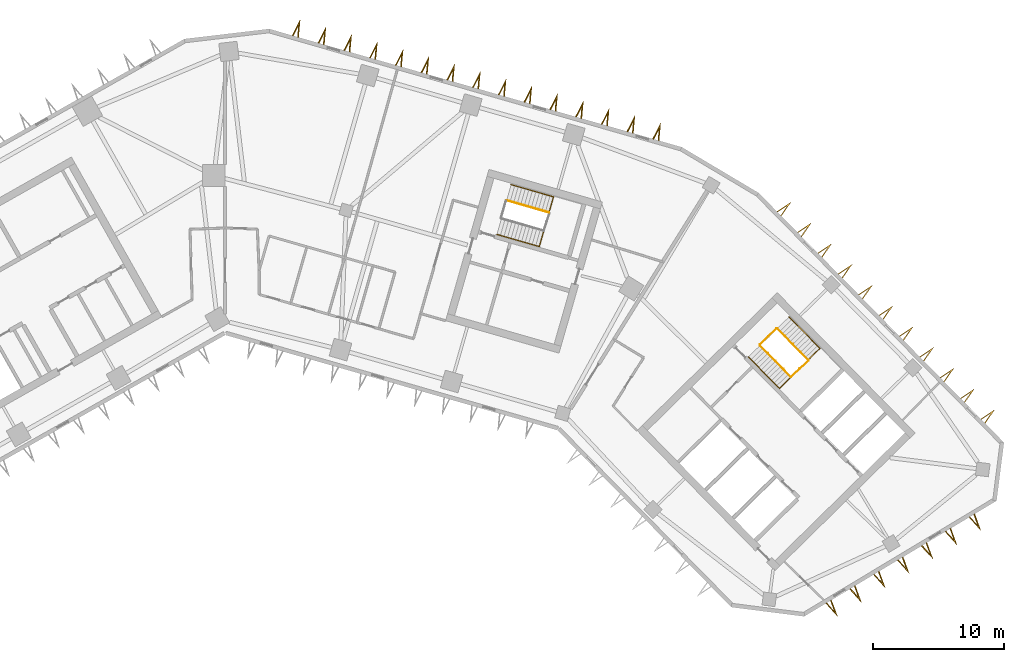
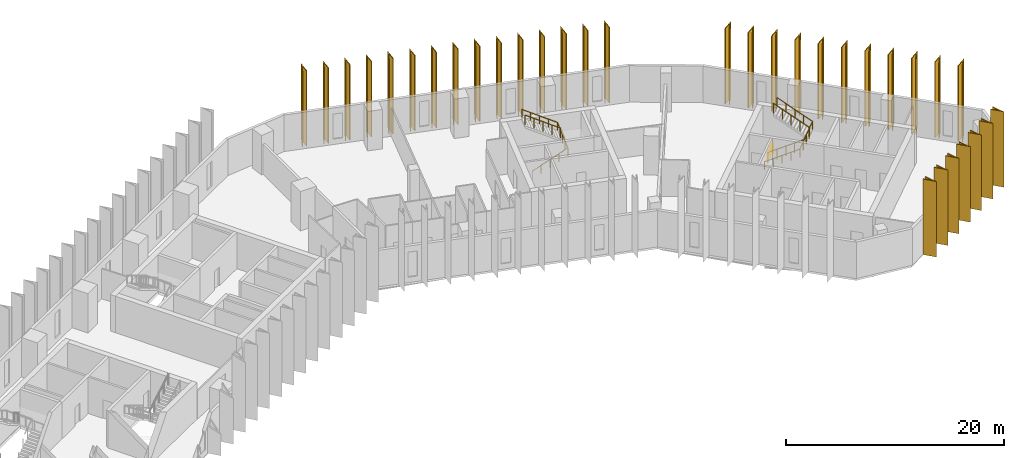
# One storey, part 11 of 11: 33 shading devices, 6 railings.
"""IFC4 building model written with IfcOpenShell, lengths in metres."""

from ifc_helpers import new_model, si_unit, direction, frame, origin, origin_2d, place, context, subcontext, project, spatial, polyline, circle, outline, extrude, material, type_object, element, save


model = new_model("IFC4")

# Units and contexts
model_context = context("Model", 3, precision=1e-05, world=origin(), true_north=direction((0.0, 1.0)))
body_context = subcontext(model_context, "Body", "Model", "MODEL_VIEW")
ifc_project = project(units=[si_unit("LENGTHUNIT", "METRE"), si_unit("AREAUNIT", "SQUARE_METRE"), si_unit("VOLUMEUNIT", "CUBIC_METRE"), si_unit("PLANEANGLEUNIT", "RADIAN"), si_unit("MASSUNIT", "GRAM", prefix="KILO")], contexts=[model_context])

# Site, building, storey
site_placement = place(None, origin())
site = spatial("IfcSite", under=ifc_project, at=site_placement, CompositionType="ELEMENT")
building_placement = place(site_placement, origin())
building = spatial("IfcBuilding", under=site, at=building_placement, Name="Binnacle Exchange Tower", CompositionType="ELEMENT")
storey_placement = place(building_placement, frame((0.0, 0.0, 141.10009765625)))
storey = spatial("IfcBuildingStorey", under=building, at=storey_placement, Name="L29", CompositionType="ELEMENT", Elevation=141.10009765625)

# Railings
ifc_material_1 = material(Name="Steel guard rail", Category="steel")
railing_type_1 = type_object("IfcRailingType", Name="STAIR GUARD 1100", PredefinedType="GUARDRAIL", material=ifc_material_1)
railing_1_placement = place(storey_placement, frame((40.822509765625, 47.046875, 0.169189453125)))
element("IfcRailing", 1, at=railing_1_placement, inside=storey, type_object=railing_type_1, Name="L29 STB1 stair guard 1", PredefinedType="GUARDRAIL", context=body_context, shape_type="SweptSolid", body=[
    extrude(circle(Radius=0.02392578125, at=origin_2d()), frame((0.0, 0.0, 1.076171875), z_axis=(0.599850224077, -0.610421915772, 0.51726665601), x_axis=(0.713256128111, 0.700903485305, 0.0)), (0.0, 0.0, 1.0), 3.926025390625),
    extrude(circle(Radius=0.02392578125, at=origin_2d()), frame((2.35498046875, -2.396484375, 3.10693359375), z_axis=(0.732527851538, 0.680737061369, 0.0), x_axis=(-0.680737061369, 0.732527851538, 0.0)), (0.0, 0.0, 1.0), 1.80078125),
    extrude(circle(Radius=0.02099609375, at=origin_2d()), origin(), (0.0, 0.0, 1.0), 1.052001953125),
    extrude(circle(Radius=0.02099609375, at=origin_2d()), frame((0.5888671875, -0.59912109375, 0.5078125)), (0.0, 0.0, 1.0), 1.052001953125),
    extrude(circle(Radius=0.02099609375, at=origin_2d()), frame((1.177490234375, -1.1982421875, 1.015380859375)), (0.0, 0.0, 1.0), 1.052001953125),
    extrude(circle(Radius=0.02099609375, at=origin_2d()), frame((1.76611328125, -1.79736328125, 1.52294921875)), (0.0, 0.0, 1.0), 1.052001953125),
    extrude(circle(Radius=0.02099609375, at=origin_2d()), frame((2.35498046875, -2.396484375, 2.03076171875)), (0.0, 0.0, 1.0), 1.052001953125),
    extrude(circle(Radius=0.02099609375, at=origin_2d()), frame((3.0146484375, -1.78369140625, 2.03076171875)), (0.0, 0.0, 1.0), 1.052001953125),
    extrude(circle(Radius=0.02099609375, at=origin_2d()), frame((3.674072265625, -1.170654296875, 2.03076171875)), (0.0, 0.0, 1.0), 1.052001953125),
])
railing_2_placement = place(storey_placement, frame((44.4970703125, 45.947021484375, 2.369140625)))
element("IfcRailing", 2, at=railing_2_placement, inside=storey, type_object=railing_type_1, Name="L29 STB1 stair guard 2", PredefinedType="GUARDRAIL", context=body_context, shape_type="SweptSolid", body=[
    extrude(circle(Radius=0.02392578125, at=origin_2d()), frame((0.0, 0.0, 1.076171875), z_axis=(-0.599850224077, 0.610421915772, 0.51726665601), x_axis=(-0.713256128111, -0.700903485305, 0.0)), (0.0, 0.0, 1.0), 3.926025390625),
    extrude(circle(Radius=0.02099609375, at=origin_2d()), origin(), (0.0, 0.0, 1.0), 1.052001953125),
    extrude(circle(Radius=0.02099609375, at=origin_2d()), frame((-0.5888671875, 0.59912109375, 0.5078125)), (0.0, 0.0, 1.0), 1.052001953125),
    extrude(circle(Radius=0.02099609375, at=origin_2d()), frame((-1.177490234375, 1.1982421875, 1.015380859375)), (0.0, 0.0, 1.0), 1.052001953125),
    extrude(circle(Radius=0.02099609375, at=origin_2d()), frame((-1.76611328125, 1.79736328125, 1.52294921875)), (0.0, 0.0, 1.0), 1.052001953125),
    extrude(circle(Radius=0.02099609375, at=origin_2d()), frame((-2.35498046875, 2.396484375, 2.03076171875)), (0.0, 0.0, 1.0), 1.052001953125),
])
railing_3_placement = place(storey_placement, frame((40.8232421875, 47.117431640625, 0.0)))
element("IfcRailing", 3, at=railing_3_placement, inside=storey, type_object=railing_type_1, Name="L29 STB1 stair guard 3", PredefinedType="GUARDRAIL", context=body_context, shape_type="SweptSolid", body=[
    extrude(circle(Radius=0.02392578125, at=origin_2d()), frame((0.0, 0.0, 1.076171875), z_axis=(0.713218950569, 0.700941316052, 0.0), x_axis=(-0.700941316052, 0.713218950569, 0.0)), (0.0, 0.0, 1.0), 1.75),
    extrude(circle(Radius=0.02099609375, at=origin_2d()), origin(), (0.0, 0.0, 1.0), 1.052001953125),
    extrude(circle(Radius=0.02099609375, at=origin_2d()), frame((0.6240234375, 0.61328125, 0.0)), (0.0, 0.0, 1.0), 1.052001953125),
    extrude(circle(Radius=0.02099609375, at=origin_2d()), frame((1.248046875, 1.2265625, 0.0)), (0.0, 0.0, 1.0), 1.052001953125),
])
railing_4_placement = place(storey_placement, frame((24.716064453125, 57.177978515625, 2.369140625)))
element("IfcRailing", 4, at=railing_4_placement, inside=storey, type_object=railing_type_1, Name="L29 STD1 stair guard 2", PredefinedType="GUARDRAIL", context=body_context, shape_type="SweptSolid", body=[
    extrude(circle(Radius=0.02392578125, at=origin_2d()), frame((0.0, 0.0, 1.076171875), z_axis=(-0.82266146106, 0.235934506256, 0.517264950721), x_axis=(-0.27568068152, -0.961249271436, 0.0)), (0.0, 0.0, 1.0), 3.926025390625),
    extrude(circle(Radius=0.02099609375, at=origin_2d()), origin(), (0.0, 0.0, 1.0), 1.052001953125),
    extrude(circle(Radius=0.02099609375, at=origin_2d()), frame((-0.807373046875, 0.2314453125, 0.5078125)), (0.0, 0.0, 1.0), 1.052001953125),
    extrude(circle(Radius=0.02099609375, at=origin_2d()), frame((-1.61474609375, 0.463134765625, 1.015380859375)), (0.0, 0.0, 1.0), 1.052001953125),
    extrude(circle(Radius=0.02099609375, at=origin_2d()), frame((-2.42236328125, 0.69482421875, 1.52294921875)), (0.0, 0.0, 1.0), 1.052001953125),
    extrude(circle(Radius=0.02099609375, at=origin_2d()), frame((-3.229736328125, 0.92626953125, 2.03076171875)), (0.0, 0.0, 1.0), 1.052001953125),
])
ifc_material_2 = material(Name="Steel handrail", Category="steel")
railing_type_2 = type_object("IfcRailingType", Name="STAIR HANDRAIL 900", PredefinedType="HANDRAIL", material=ifc_material_2)
railing_5_placement = place(storey_placement, frame((39.930908203125, 46.170654296875, 0.169189453125)))
element("IfcRailing", 5, at=railing_5_placement, inside=storey, type_object=railing_type_2, Name="L29 STB1 stair handrail 1", PredefinedType="HANDRAIL", context=body_context, shape_type="SweptSolid", body=[
    extrude(circle(Radius=0.02392578125, at=origin_2d()), frame((0.0, 0.0, 0.8759765625), z_axis=(0.599890032335, -0.610399145579, 0.51724736073), x_axis=(0.713219803244, 0.700940448441, 0.0)), (0.0, 0.0, 1.0), 3.926025390625),
    extrude(circle(Radius=0.02392578125, at=origin_2d()), frame((2.355224609375, -2.396484375, 2.90673828125), z_axis=(0.712714810107, 0.700376341566, 0.038866175905), x_axis=(-0.700905928746, 0.713253726978, 0.0)), (0.0, 0.0, 1.0), 4.35302734375),
    extrude(circle(Radius=0.02392578125, at=origin_2d()), frame((5.457763671875, 0.65234375, 3.07568359375), z_axis=(-0.599827453926, 0.610460928384, 0.517247020709), x_axis=(-0.713291821981, -0.70086716052, 0.0)), (0.0, 0.0, 1.0), 3.926025390625),
    extrude(circle(Radius=0.02099609375, at=origin_2d()), origin(), (0.0, 0.0, 1.0), 0.851806640625),
    extrude(circle(Radius=0.02099609375, at=origin_2d()), frame((0.5888671875, -0.59912109375, 0.5078125)), (0.0, 0.0, 1.0), 0.851806640625),
    extrude(circle(Radius=0.02099609375, at=origin_2d()), frame((1.177734375, -1.1982421875, 1.015380859375)), (0.0, 0.0, 1.0), 0.851806640625),
    extrude(circle(Radius=0.02099609375, at=origin_2d()), frame((1.766357421875, -1.79736328125, 1.52294921875)), (0.0, 0.0, 1.0), 0.851806640625),
    extrude(circle(Radius=0.02099609375, at=origin_2d()), frame((2.355224609375, -2.396484375, 2.03076171875)), (0.0, 0.0, 1.0), 0.851806640625),
    extrude(circle(Radius=0.02099609375, at=origin_2d()), frame((3.130859375, -1.63427734375, 2.072998046875)), (0.0, 0.0, 1.0), 0.851806640625),
    extrude(circle(Radius=0.02099609375, at=origin_2d()), frame((3.906494140625, -0.8720703125, 2.115234375)), (0.0, 0.0, 1.0), 0.851806640625),
    extrude(circle(Radius=0.02099609375, at=origin_2d()), frame((4.68212890625, -0.10986328125, 2.15771484375)), (0.0, 0.0, 1.0), 0.851806640625),
    extrude(circle(Radius=0.02099609375, at=origin_2d()), frame((5.457763671875, 0.65234375, 2.199951171875)), (0.0, 0.0, 1.0), 0.851806640625),
    extrude(circle(Radius=0.02099609375, at=origin_2d()), frame((4.869140625, 1.25146484375, 2.70751953125)), (0.0, 0.0, 1.0), 0.851806640625),
    extrude(circle(Radius=0.02099609375, at=origin_2d()), frame((4.2802734375, 1.8505859375, 3.21533203125)), (0.0, 0.0, 1.0), 0.851806640625),
    extrude(circle(Radius=0.02099609375, at=origin_2d()), frame((3.69140625, 2.449951171875, 3.72314453125)), (0.0, 0.0, 1.0), 0.851806640625),
    extrude(circle(Radius=0.02099609375, at=origin_2d()), frame((3.102783203125, 3.049072265625, 4.230712890625)), (0.0, 0.0, 1.0), 0.851806640625),
])
railing_6_placement = place(storey_placement, frame((20.7421875, 55.5087890625, 0.169189453125)))
element("IfcRailing", 6, at=railing_6_placement, inside=storey, type_object=railing_type_2, Name="L29 STD1 stair handrail 1", PredefinedType="HANDRAIL", context=body_context, shape_type="SweptSolid", body=[
    extrude(circle(Radius=0.02392578125, at=origin_2d()), frame((0.0, 0.0, 0.8759765625), z_axis=(0.82266146106, -0.235934506256, 0.517264950721), x_axis=(0.27568068152, 0.961249271436, 0.0)), (0.0, 0.0, 1.0), 3.926025390625),
    extrude(circle(Radius=0.02392578125, at=origin_2d()), frame((3.229736328125, -0.92626953125, 2.90673828125), z_axis=(0.275399082883, 0.960377115711, 0.042791830591), x_axis=(-0.961257617982, 0.275651576943, 0.0)), (0.0, 0.0, 1.0), 3.953857421875),
    extrude(circle(Radius=0.02392578125, at=origin_2d()), frame((4.318603515625, 2.870849609375, 3.07568359375), z_axis=(-0.822693627572, 0.235863713483, 0.517246076655), x_axis=(-0.275594289407, -0.961274043989, 0.0)), (0.0, 0.0, 1.0), 3.926025390625),
    extrude(circle(Radius=0.02099609375, at=origin_2d()), origin(), (0.0, 0.0, 1.0), 0.851806640625),
    extrude(circle(Radius=0.02099609375, at=origin_2d()), frame((0.807373046875, -0.2314453125, 0.5078125)), (0.0, 0.0, 1.0), 0.851806640625),
    extrude(circle(Radius=0.02099609375, at=origin_2d()), frame((1.61474609375, -0.463134765625, 1.015380859375)), (0.0, 0.0, 1.0), 0.851806640625),
    extrude(circle(Radius=0.02099609375, at=origin_2d()), frame((2.42236328125, -0.69482421875, 1.52294921875)), (0.0, 0.0, 1.0), 0.851806640625),
    extrude(circle(Radius=0.02099609375, at=origin_2d()), frame((3.229736328125, -0.92626953125, 2.03076171875)), (0.0, 0.0, 1.0), 0.851806640625),
    extrude(circle(Radius=0.02099609375, at=origin_2d()), frame((3.501953125, 0.02294921875, 2.072998046875)), (0.0, 0.0, 1.0), 0.851806640625),
    extrude(circle(Radius=0.02099609375, at=origin_2d()), frame((3.774169921875, 0.97216796875, 2.115234375)), (0.0, 0.0, 1.0), 0.851806640625),
    extrude(circle(Radius=0.02099609375, at=origin_2d()), frame((4.04638671875, 1.921630859375, 2.15771484375)), (0.0, 0.0, 1.0), 0.851806640625),
    extrude(circle(Radius=0.02099609375, at=origin_2d()), frame((4.318603515625, 2.870849609375, 2.199951171875)), (0.0, 0.0, 1.0), 0.851806640625),
    extrude(circle(Radius=0.02099609375, at=origin_2d()), frame((3.51123046875, 3.102294921875, 2.70751953125)), (0.0, 0.0, 1.0), 0.851806640625),
    extrude(circle(Radius=0.02099609375, at=origin_2d()), frame((2.70361328125, 3.333984375, 3.21533203125)), (0.0, 0.0, 1.0), 0.851806640625),
    extrude(circle(Radius=0.02099609375, at=origin_2d()), frame((1.89599609375, 3.5654296875, 3.72314453125)), (0.0, 0.0, 1.0), 0.851806640625),
    extrude(circle(Radius=0.02099609375, at=origin_2d()), frame((1.088623046875, 3.796875, 4.230712890625)), (0.0, 0.0, 1.0), 0.851806640625),
])

# Shading devices
ifc_material_3 = material(Name="Bronze aluminium cladding", Category="aluminium")
shading_device_type = type_object("IfcShadingDeviceType", Name="V FIN 1300 DEEP x 8450 HIGH", PredefinedType="USERDEFINED", material=ifc_material_3)
shading_device_1_placement = place(storey_placement, origin())
element("IfcShadingDevice", 7, at=shading_device_1_placement, inside=storey, type_object=shading_device_type, Name="V fin FN-F01-01 L29", ObjectType="FIN", PredefinedType="USERDEFINED", context=body_context, shape_type="SweptSolid", body=[
    extrude(outline(polyline([(33.107421875, 62.66259765625), (33.225341796875, 63.981201171875), (32.626708984375, 62.800537109375), (32.705078125, 62.778076171875), (33.108642578125, 63.573974609375), (33.029052734375, 62.68505859375), (33.107421875, 62.66259765625)])), origin(), (0.0, 0.0, 1.0), 8.449951171875),
])
shading_device_2_placement = place(storey_placement, origin())
element("IfcShadingDevice", 8, at=shading_device_2_placement, inside=storey, type_object=shading_device_type, Name="V fin FN-F01-02 L29", ObjectType="FIN", PredefinedType="USERDEFINED", context=body_context, shape_type="SweptSolid", body=[
    extrude(outline(polyline([(31.143310546875, 63.225830078125), (31.26123046875, 64.54443359375), (30.66259765625, 63.36376953125), (30.740966796875, 63.34130859375), (31.14453125, 64.13720703125), (31.06494140625, 63.248291015625), (31.143310546875, 63.225830078125)])), origin(), (0.0, 0.0, 1.0), 8.449951171875),
])
shading_device_3_placement = place(storey_placement, origin())
element("IfcShadingDevice", 9, at=shading_device_3_placement, inside=storey, type_object=shading_device_type, Name="V fin FN-F01-03 L29", ObjectType="FIN", PredefinedType="USERDEFINED", context=body_context, shape_type="SweptSolid", body=[
    extrude(outline(polyline([(29.17919921875, 63.7890625), (29.297119140625, 65.107666015625), (28.698486328125, 63.927001953125), (28.77685546875, 63.904541015625), (29.180419921875, 64.700439453125), (29.100830078125, 63.8115234375), (29.17919921875, 63.7890625)])), origin(), (0.0, 0.0, 1.0), 8.449951171875),
])
shading_device_4_placement = place(storey_placement, origin())
element("IfcShadingDevice", 10, at=shading_device_4_placement, inside=storey, type_object=shading_device_type, Name="V fin FN-F01-04 L29", ObjectType="FIN", PredefinedType="USERDEFINED", context=body_context, shape_type="SweptSolid", body=[
    extrude(outline(polyline([(27.215087890625, 64.352294921875), (27.3330078125, 65.6708984375), (26.734619140625, 64.489990234375), (26.812744140625, 64.4677734375), (27.21630859375, 65.263671875), (27.13671875, 64.374755859375), (27.215087890625, 64.352294921875)])), origin(), (0.0, 0.0, 1.0), 8.449951171875),
])
shading_device_5_placement = place(storey_placement, origin())
element("IfcShadingDevice", 11, at=shading_device_5_placement, inside=storey, type_object=shading_device_type, Name="V fin FN-F01-05 L29", ObjectType="FIN", PredefinedType="USERDEFINED", context=body_context, shape_type="SweptSolid", body=[
    extrude(outline(polyline([(25.2509765625, 64.91552734375), (25.368896484375, 66.23388671875), (24.7705078125, 65.05322265625), (24.8486328125, 65.031005859375), (25.252197265625, 65.826904296875), (25.172607421875, 64.93798828125), (25.2509765625, 64.91552734375)])), origin(), (0.0, 0.0, 1.0), 8.449951171875),
])
shading_device_6_placement = place(storey_placement, origin())
element("IfcShadingDevice", 12, at=shading_device_6_placement, inside=storey, type_object=shading_device_type, Name="V fin FN-F01-06 L29", ObjectType="FIN", PredefinedType="USERDEFINED", context=body_context, shape_type="SweptSolid", body=[
    extrude(outline(polyline([(23.287109375, 65.478515625), (23.405029296875, 66.797119140625), (22.806396484375, 65.616455078125), (22.884765625, 65.593994140625), (23.288330078125, 66.389892578125), (23.208740234375, 65.5009765625), (23.287109375, 65.478515625)])), origin(), (0.0, 0.0, 1.0), 8.449951171875),
])
shading_device_7_placement = place(storey_placement, origin())
element("IfcShadingDevice", 13, at=shading_device_7_placement, inside=storey, type_object=shading_device_type, Name="V fin FN-F01-07 L29", ObjectType="FIN", PredefinedType="USERDEFINED", context=body_context, shape_type="SweptSolid", body=[
    extrude(outline(polyline([(21.32275390625, 66.041748046875), (21.44091796875, 67.3603515625), (20.84228515625, 66.1796875), (20.92041015625, 66.1572265625), (21.32421875, 66.953125), (21.244384765625, 66.064208984375), (21.32275390625, 66.041748046875)])), origin(), (0.0, 0.0, 1.0), 8.449951171875),
])
shading_device_8_placement = place(storey_placement, origin())
element("IfcShadingDevice", 14, at=shading_device_8_placement, inside=storey, type_object=shading_device_type, Name="V fin FN-F01-08 L29", ObjectType="FIN", PredefinedType="USERDEFINED", context=body_context, shape_type="SweptSolid", body=[
    extrude(outline(polyline([(19.35888671875, 66.60498046875), (19.476806640625, 67.923583984375), (18.878173828125, 66.742919921875), (18.95654296875, 66.720458984375), (19.360107421875, 67.516357421875), (19.280517578125, 66.62744140625), (19.35888671875, 66.60498046875)])), origin(), (0.0, 0.0, 1.0), 8.449951171875),
])
shading_device_9_placement = place(storey_placement, origin())
element("IfcShadingDevice", 15, at=shading_device_9_placement, inside=storey, type_object=shading_device_type, Name="V fin FN-F01-09 L29", ObjectType="FIN", PredefinedType="USERDEFINED", context=body_context, shape_type="SweptSolid", body=[
    extrude(outline(polyline([(17.394775390625, 67.168212890625), (17.5126953125, 68.48681640625), (16.9140625, 67.305908203125), (16.992431640625, 67.28369140625), (17.39599609375, 68.07958984375), (17.31640625, 67.190673828125), (17.394775390625, 67.168212890625)])), origin(), (0.0, 0.0, 1.0), 8.449951171875),
])
shading_device_10_placement = place(storey_placement, origin())
element("IfcShadingDevice", 16, at=shading_device_10_placement, inside=storey, type_object=shading_device_type, Name="V fin FN-F01-10 L29", ObjectType="FIN", PredefinedType="USERDEFINED", context=body_context, shape_type="SweptSolid", body=[
    extrude(outline(polyline([(15.4306640625, 67.7314453125), (15.548583984375, 69.0498046875), (14.949951171875, 67.869140625), (15.0283203125, 67.8466796875), (15.431884765625, 68.642578125), (15.352294921875, 67.75390625), (15.4306640625, 67.7314453125)])), origin(), (0.0, 0.0, 1.0), 8.449951171875),
])
shading_device_11_placement = place(storey_placement, origin())
element("IfcShadingDevice", 17, at=shading_device_11_placement, inside=storey, type_object=shading_device_type, Name="V fin FN-F01-11 L29", ObjectType="FIN", PredefinedType="USERDEFINED", context=body_context, shape_type="SweptSolid", body=[
    extrude(outline(polyline([(13.466552734375, 68.294677734375), (13.58447265625, 69.613037109375), (12.98583984375, 68.432373046875), (13.064208984375, 68.409912109375), (13.4677734375, 69.205810546875), (13.38818359375, 68.31689453125), (13.466552734375, 68.294677734375)])), origin(), (0.0, 0.0, 1.0), 8.449951171875),
])
shading_device_12_placement = place(storey_placement, origin())
element("IfcShadingDevice", 18, at=shading_device_12_placement, inside=storey, type_object=shading_device_type, Name="V fin FN-F01-12 L29", ObjectType="FIN", PredefinedType="USERDEFINED", context=body_context, shape_type="SweptSolid", body=[
    extrude(outline(polyline([(11.50244140625, 68.85791015625), (11.620361328125, 70.17626953125), (11.021728515625, 68.99560546875), (11.10009765625, 68.97314453125), (11.503662109375, 69.76904296875), (11.424072265625, 68.880126953125), (11.50244140625, 68.85791015625)])), origin(), (0.0, 0.0, 1.0), 8.449951171875),
])
shading_device_13_placement = place(storey_placement, origin())
element("IfcShadingDevice", 19, at=shading_device_13_placement, inside=storey, type_object=shading_device_type, Name="V fin FN-F01-13 L29", ObjectType="FIN", PredefinedType="USERDEFINED", context=body_context, shape_type="SweptSolid", body=[
    extrude(outline(polyline([(9.538330078125, 69.4208984375), (9.65625, 70.739501953125), (9.0576171875, 69.558837890625), (9.135986328125, 69.536376953125), (9.53955078125, 70.332275390625), (9.4599609375, 69.443359375), (9.538330078125, 69.4208984375)])), origin(), (0.0, 0.0, 1.0), 8.449951171875),
])
shading_device_14_placement = place(storey_placement, origin())
element("IfcShadingDevice", 20, at=shading_device_14_placement, inside=storey, type_object=shading_device_type, Name="V fin FN-F01-14 L29", ObjectType="FIN", PredefinedType="USERDEFINED", context=body_context, shape_type="SweptSolid", body=[
    extrude(outline(polyline([(7.57421875, 69.984130859375), (7.6923828125, 71.302734375), (7.09375, 70.1220703125), (7.172119140625, 70.099609375), (7.57568359375, 70.8955078125), (7.49609375, 70.006591796875), (7.57421875, 69.984130859375)])), origin(), (0.0, 0.0, 1.0), 8.449951171875),
])
shading_device_15_placement = place(storey_placement, origin())
element("IfcShadingDevice", 21, at=shading_device_15_placement, inside=storey, type_object=shading_device_type, Name="V fin FN-F01-15 L29", ObjectType="FIN", PredefinedType="USERDEFINED", context=body_context, shape_type="SweptSolid", body=[
    extrude(outline(polyline([(5.610107421875, 70.54736328125), (5.72802734375, 71.865966796875), (5.12939453125, 70.685302734375), (5.207763671875, 70.662841796875), (5.611328125, 71.458740234375), (5.53173828125, 70.56982421875), (5.610107421875, 70.54736328125)])), origin(), (0.0, 0.0, 1.0), 8.449951171875),
])
shading_device_16_placement = place(storey_placement, origin())
element("IfcShadingDevice", 22, at=shading_device_16_placement, inside=storey, type_object=shading_device_type, Name="V fin FN-F11-01 L29", ObjectType="FIN", PredefinedType="USERDEFINED", context=body_context, shape_type="SweptSolid", body=[
    extrude(outline(polyline([(45.82861328125, 27.361572265625), (46.71240234375, 26.376220703125), (46.257080078125, 27.619140625), (46.187255859375, 27.5771484375), (46.494140625, 26.7392578125), (45.898193359375, 27.403564453125), (45.82861328125, 27.361572265625)])), origin(), (0.0, 0.0, 1.0), 8.449951171875),
])
shading_device_17_placement = place(storey_placement, origin())
element("IfcShadingDevice", 23, at=shading_device_17_placement, inside=storey, type_object=shading_device_type, Name="V fin FN-F11-02 L29", ObjectType="FIN", PredefinedType="USERDEFINED", context=body_context, shape_type="SweptSolid", body=[
    extrude(outline(polyline([(47.64990234375, 28.4560546875), (48.53369140625, 27.470458984375), (48.07861328125, 28.713623046875), (48.0087890625, 28.671630859375), (48.315673828125, 27.83349609375), (47.7197265625, 28.498046875), (47.64990234375, 28.4560546875)])), origin(), (0.0, 0.0, 1.0), 8.449951171875),
])
shading_device_18_placement = place(storey_placement, origin())
element("IfcShadingDevice", 24, at=shading_device_18_placement, inside=storey, type_object=shading_device_type, Name="V fin FN-F11-03 L29", ObjectType="FIN", PredefinedType="USERDEFINED", context=body_context, shape_type="SweptSolid", body=[
    extrude(outline(polyline([(49.471435546875, 29.550537109375), (50.355224609375, 28.56494140625), (49.900146484375, 29.80810546875), (49.830322265625, 29.76611328125), (50.13720703125, 28.927978515625), (49.541259765625, 29.592529296875), (49.471435546875, 29.550537109375)])), origin(), (0.0, 0.0, 1.0), 8.449951171875),
])
shading_device_19_placement = place(storey_placement, origin())
element("IfcShadingDevice", 25, at=shading_device_19_placement, inside=storey, type_object=shading_device_type, Name="V fin FN-F11-04 L29", ObjectType="FIN", PredefinedType="USERDEFINED", context=body_context, shape_type="SweptSolid", body=[
    extrude(outline(polyline([(51.29296875, 30.64501953125), (52.1767578125, 29.659423828125), (51.7216796875, 30.902587890625), (51.65185546875, 30.860595703125), (51.958740234375, 30.0224609375), (51.36279296875, 30.68701171875), (51.29296875, 30.64501953125)])), origin(), (0.0, 0.0, 1.0), 8.449951171875),
])
shading_device_20_placement = place(storey_placement, origin())
element("IfcShadingDevice", 26, at=shading_device_20_placement, inside=storey, type_object=shading_device_type, Name="V fin FN-F11-05 L29", ObjectType="FIN", PredefinedType="USERDEFINED", context=body_context, shape_type="SweptSolid", body=[
    extrude(outline(polyline([(53.114501953125, 31.739501953125), (53.998291015625, 30.75390625), (53.543212890625, 31.9970703125), (53.473388671875, 31.955078125), (53.7802734375, 31.116943359375), (53.184326171875, 31.781494140625), (53.114501953125, 31.739501953125)])), origin(), (0.0, 0.0, 1.0), 8.449951171875),
])
shading_device_21_placement = place(storey_placement, origin())
element("IfcShadingDevice", 27, at=shading_device_21_placement, inside=storey, type_object=shading_device_type, Name="V fin FN-F11-06 L29", ObjectType="FIN", PredefinedType="USERDEFINED", context=body_context, shape_type="SweptSolid", body=[
    extrude(outline(polyline([(54.935791015625, 32.833984375), (55.819580078125, 31.848388671875), (55.364501953125, 33.091552734375), (55.294677734375, 33.049560546875), (55.6015625, 32.21142578125), (55.005615234375, 32.8759765625), (54.935791015625, 32.833984375)])), origin(), (0.0, 0.0, 1.0), 8.449951171875),
])
shading_device_22_placement = place(storey_placement, origin())
element("IfcShadingDevice", 28, at=shading_device_22_placement, inside=storey, type_object=shading_device_type, Name="V fin FN-F11-07 L29", ObjectType="FIN", PredefinedType="USERDEFINED", context=body_context, shape_type="SweptSolid", body=[
    extrude(outline(polyline([(56.75732421875, 33.92822265625), (57.64111328125, 32.94287109375), (57.18603515625, 34.185791015625), (57.1162109375, 34.143798828125), (57.423095703125, 33.305908203125), (56.8271484375, 33.97021484375), (56.75732421875, 33.92822265625)])), origin(), (0.0, 0.0, 1.0), 8.449951171875),
])
shading_device_23_placement = place(storey_placement, origin())
element("IfcShadingDevice", 29, at=shading_device_23_placement, inside=storey, type_object=shading_device_type, Name="V fin FN-F13-01 L29", ObjectType="FIN", PredefinedType="USERDEFINED", context=body_context, shape_type="SweptSolid", body=[
    extrude(outline(polyline([(57.990478515625, 41.087890625), (58.742431640625, 42.177490234375), (57.64013671875, 41.444580078125), (57.697265625, 41.386474609375), (58.4404296875, 41.880615234375), (57.933349609375, 41.14599609375), (57.990478515625, 41.087890625)])), origin(), (0.0, 0.0, 1.0), 8.449951171875),
])
shading_device_24_placement = place(storey_placement, origin())
element("IfcShadingDevice", 30, at=shading_device_24_placement, inside=storey, type_object=shading_device_type, Name="V fin FN-F13-02 L29", ObjectType="FIN", PredefinedType="USERDEFINED", context=body_context, shape_type="SweptSolid", body=[
    extrude(outline(polyline([(56.435791015625, 42.669921875), (57.18798828125, 43.759521484375), (56.08544921875, 43.026611328125), (56.142578125, 42.968505859375), (56.8857421875, 43.46240234375), (56.37890625, 42.72802734375), (56.435791015625, 42.669921875)])), origin(), (0.0, 0.0, 1.0), 8.449951171875),
])
shading_device_25_placement = place(storey_placement, origin())
element("IfcShadingDevice", 31, at=shading_device_25_placement, inside=storey, type_object=shading_device_type, Name="V fin FN-F13-03 L29", ObjectType="FIN", PredefinedType="USERDEFINED", context=body_context, shape_type="SweptSolid", body=[
    extrude(outline(polyline([(54.881103515625, 44.251953125), (55.63330078125, 45.34130859375), (54.53076171875, 44.6083984375), (54.587890625, 44.55029296875), (55.3310546875, 45.04443359375), (54.82421875, 44.31005859375), (54.881103515625, 44.251953125)])), origin(), (0.0, 0.0, 1.0), 8.449951171875),
])
shading_device_26_placement = place(storey_placement, origin())
element("IfcShadingDevice", 32, at=shading_device_26_placement, inside=storey, type_object=shading_device_type, Name="V fin FN-F13-04 L29", ObjectType="FIN", PredefinedType="USERDEFINED", context=body_context, shape_type="SweptSolid", body=[
    extrude(outline(polyline([(53.32666015625, 45.833984375), (54.07861328125, 46.92333984375), (52.976318359375, 46.1904296875), (53.033203125, 46.13232421875), (53.776611328125, 46.62646484375), (53.26953125, 45.89208984375), (53.32666015625, 45.833984375)])), origin(), (0.0, 0.0, 1.0), 8.449951171875),
])
shading_device_27_placement = place(storey_placement, origin())
element("IfcShadingDevice", 33, at=shading_device_27_placement, inside=storey, type_object=shading_device_type, Name="V fin FN-F13-05 L29", ObjectType="FIN", PredefinedType="USERDEFINED", context=body_context, shape_type="SweptSolid", body=[
    extrude(outline(polyline([(51.77197265625, 47.416015625), (52.52392578125, 48.50537109375), (51.421630859375, 47.7724609375), (51.478759765625, 47.71435546875), (52.221923828125, 48.20849609375), (51.71484375, 47.47412109375), (51.77197265625, 47.416015625)])), origin(), (0.0, 0.0, 1.0), 8.449951171875),
])
shading_device_28_placement = place(storey_placement, origin())
element("IfcShadingDevice", 34, at=shading_device_28_placement, inside=storey, type_object=shading_device_type, Name="V fin FN-F13-06 L29", ObjectType="FIN", PredefinedType="USERDEFINED", context=body_context, shape_type="SweptSolid", body=[
    extrude(outline(polyline([(50.21728515625, 48.997802734375), (50.969482421875, 50.08740234375), (49.866943359375, 49.3544921875), (49.924072265625, 49.29638671875), (50.667236328125, 49.79052734375), (50.160400390625, 49.055908203125), (50.21728515625, 48.997802734375)])), origin(), (0.0, 0.0, 1.0), 8.449951171875),
])
shading_device_29_placement = place(storey_placement, origin())
element("IfcShadingDevice", 35, at=shading_device_29_placement, inside=storey, type_object=shading_device_type, Name="V fin FN-F13-07 L29", ObjectType="FIN", PredefinedType="USERDEFINED", context=body_context, shape_type="SweptSolid", body=[
    extrude(outline(polyline([(48.66259765625, 50.579833984375), (49.414794921875, 51.66943359375), (48.312255859375, 50.9365234375), (48.369384765625, 50.87841796875), (49.112548828125, 51.37255859375), (48.605712890625, 50.637939453125), (48.66259765625, 50.579833984375)])), origin(), (0.0, 0.0, 1.0), 8.449951171875),
])
shading_device_30_placement = place(storey_placement, origin())
element("IfcShadingDevice", 36, at=shading_device_30_placement, inside=storey, type_object=shading_device_type, Name="V fin FN-F13-08 L29", ObjectType="FIN", PredefinedType="USERDEFINED", context=body_context, shape_type="SweptSolid", body=[
    extrude(outline(polyline([(47.108154296875, 52.161865234375), (47.860107421875, 53.25146484375), (46.7578125, 52.5185546875), (46.814697265625, 52.46044921875), (47.55810546875, 52.95458984375), (47.051025390625, 52.219970703125), (47.108154296875, 52.161865234375)])), origin(), (0.0, 0.0, 1.0), 8.449951171875),
])
shading_device_31_placement = place(storey_placement, origin())
element("IfcShadingDevice", 37, at=shading_device_31_placement, inside=storey, type_object=shading_device_type, Name="V fin FN-F13-09 L29", ObjectType="FIN", PredefinedType="USERDEFINED", context=body_context, shape_type="SweptSolid", body=[
    extrude(outline(polyline([(45.553466796875, 53.743896484375), (46.305419921875, 54.83349609375), (45.203125, 54.1005859375), (45.26025390625, 54.04248046875), (46.00341796875, 54.53662109375), (45.496337890625, 53.802001953125), (45.553466796875, 53.743896484375)])), origin(), (0.0, 0.0, 1.0), 8.449951171875),
])
shading_device_32_placement = place(storey_placement, origin())
element("IfcShadingDevice", 38, at=shading_device_32_placement, inside=storey, type_object=shading_device_type, Name="V fin FN-F13-10 L29", ObjectType="FIN", PredefinedType="USERDEFINED", context=body_context, shape_type="SweptSolid", body=[
    extrude(outline(polyline([(43.998779296875, 55.325927734375), (44.7509765625, 56.415283203125), (43.6484375, 55.6826171875), (43.70556640625, 55.62451171875), (44.44873046875, 56.118408203125), (43.94189453125, 55.384033203125), (43.998779296875, 55.325927734375)])), origin(), (0.0, 0.0, 1.0), 8.449951171875),
])
shading_device_33_placement = place(storey_placement, origin())
element("IfcShadingDevice", 39, at=shading_device_33_placement, inside=storey, type_object=shading_device_type, Name="V fin FN-F13-11 L29", ObjectType="FIN", PredefinedType="USERDEFINED", context=body_context, shape_type="SweptSolid", body=[
    extrude(outline(polyline([(42.444091796875, 56.907958984375), (43.1962890625, 57.997314453125), (42.09375, 57.264404296875), (42.15087890625, 57.206298828125), (42.89404296875, 57.700439453125), (42.38720703125, 56.966064453125), (42.444091796875, 56.907958984375)])), origin(), (0.0, 0.0, 1.0), 8.449951171875),
])

save(model, "model.ifc")
